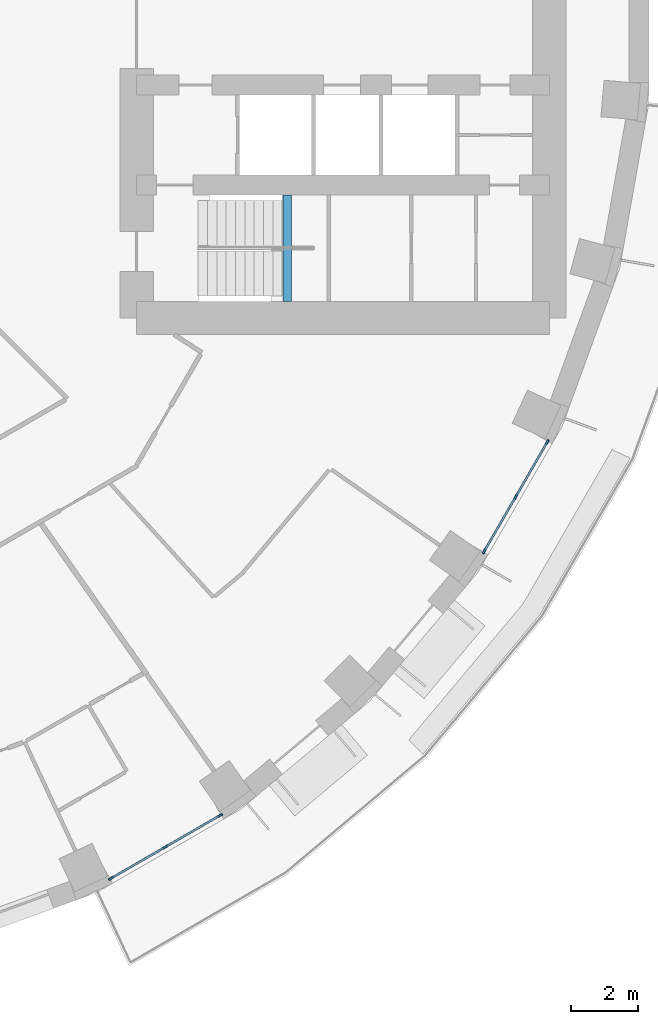
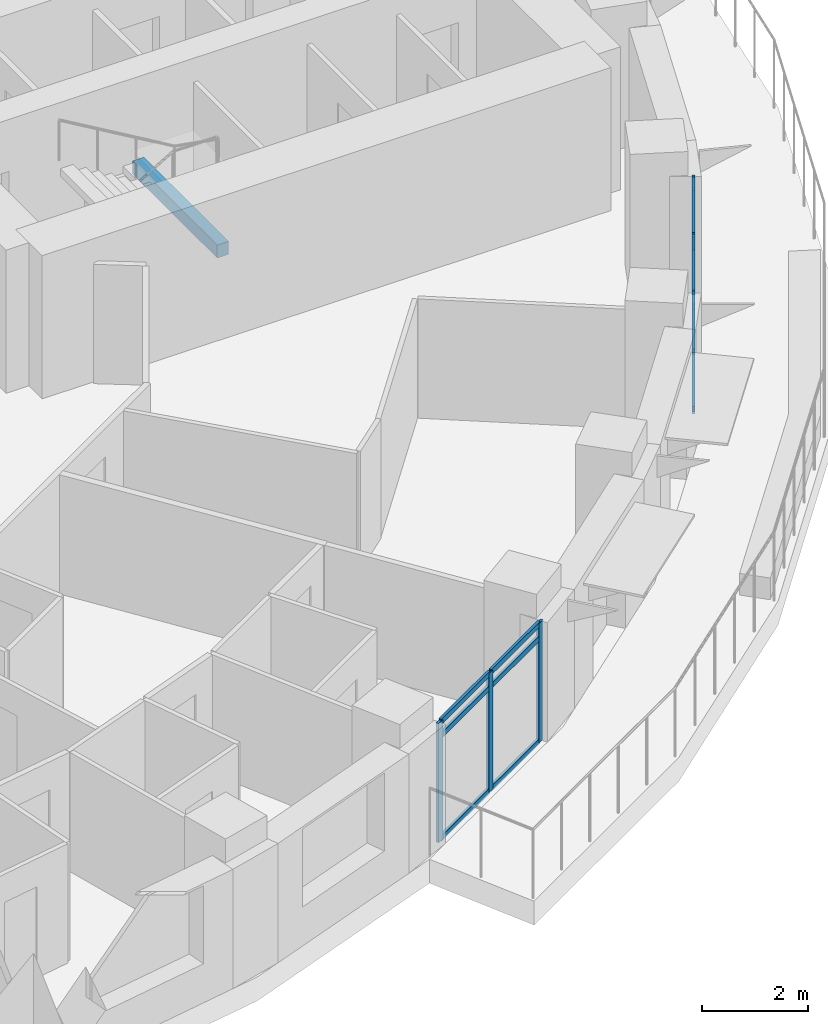
# One storey, part 2 of 15: 18 members, 1 beam, 2 elements without a shape of their own.
"""IFC4 building model written with IfcOpenShell, lengths in metres."""

import ifcopenshell
import ifcopenshell.guid

model = None  # the IFC model being written
_history = None  # IfcOwnerHistory: only IFC2X3 demands one
_inside = {}  # id of a spatial element -> (the spatial element, [elements in it])
_under = {}  # id of a project, library or spatial element -> (it, [spatial elements below it])
_declared = {}  # id of a project -> (the project, [libraries it declares])
_typed = {}  # id of a type object -> (the type object, [elements of that type])
_made_of = {}  # id of a material, layer set ... -> (it, [elements and type objects made of it])


def new_model(schema):
    """Start an empty IFC model of exactly this schema.

    Asked for "IFC4X3", IfcOpenShell would pick the latest addendum, in which some entities
    have other attributes; the version numbers below select the first issue.
    IFC2X3 requires an IfcOwnerHistory on every rooted entity: one is made here for all.
    """
    global model, _history
    if schema == "IFC4X3":
        model = ifcopenshell.file(schema_version=(4, 3, 0, 0))
    else:
        model = ifcopenshell.file(schema=schema)
    _inside.clear()
    _under.clear()
    _declared.clear()
    _typed.clear()
    _made_of.clear()
    _history = None
    if model.schema == "IFC2X3":
        org = make("IfcOrganization", Name="unknown")
        user = make(
            "IfcPersonAndOrganization",
            ThePerson=make("IfcPerson", FamilyName="unknown"),
            TheOrganization=org,
        )
        app = make(
            "IfcApplication",
            ApplicationDeveloper=org,
            Version="unknown",
            ApplicationFullName="unknown",
            ApplicationIdentifier="unknown",
        )
        _history = make(
            "IfcOwnerHistory",
            OwningUser=user,
            OwningApplication=app,
            ChangeAction="ADDED",
            CreationDate=0,
        )
    return model


def make(cls, **values):
    """One entity of the class cls with the attributes given. An attribute that is None is left unset."""
    return model.create_entity(
        cls, **{name: value for name, value in values.items() if value is not None}
    )


def rooted(cls, **values):
    """An entity with a GlobalId (a new one), such as an element, a storey or a relation."""
    return make(cls, GlobalId=ifcopenshell.guid.new(), OwnerHistory=_history, **values)


def si_unit(unit_type, name, prefix=None):
    """IfcSIUnit, for example si_unit("LENGTHUNIT", "METRE", prefix="MILLI")."""
    return make("IfcSIUnit", UnitType=unit_type, Prefix=prefix, Name=name)


def assignment(units):
    """IfcUnitAssignment: the units of a project."""
    return None if units is None else make("IfcUnitAssignment", Units=units)


def point(xyz):
    """IfcCartesianPoint."""
    return None if xyz is None else make("IfcCartesianPoint", Coordinates=xyz)


def direction(xyz):
    """IfcDirection."""
    return None if xyz is None else make("IfcDirection", DirectionRatios=xyz)


def frame(location, z_axis=None, x_axis=None):
    """IfcAxis2Placement3D, a coordinate frame: its origin and axes. An axis left out is left unset."""
    return make(
        "IfcAxis2Placement3D",
        Location=point(location),
        Axis=direction(z_axis),
        RefDirection=direction(x_axis),
    )


def frame_2d(location, x_axis=None):
    """IfcAxis2Placement2D, a coordinate frame in the plane: its origin and x axis."""
    return make(
        "IfcAxis2Placement2D", Location=point(location), RefDirection=direction(x_axis)
    )


def origin():
    """The frame at (0, 0, 0) with its axes left unset."""
    return frame((0.0, 0.0, 0.0))


def origin_2d():
    """The frame at (0, 0) in the plane with its x axis left unset."""
    return frame_2d((0.0, 0.0))


def place(relative_to, where):
    """IfcLocalPlacement: puts the frame where relative to a parent placement (None: the world)."""
    return make(
        "IfcLocalPlacement", PlacementRelTo=relative_to, RelativePlacement=where
    )


def context(
    kind, dimensions, precision=None, world=None, true_north=None, identifier=None
):
    """IfcGeometricRepresentationContext, for example the 3D "Model" context."""
    return make(
        "IfcGeometricRepresentationContext",
        ContextIdentifier=identifier,
        ContextType=kind,
        CoordinateSpaceDimension=dimensions,
        Precision=precision,
        WorldCoordinateSystem=world,
        TrueNorth=true_north,
    )


def subcontext(parent, identifier, kind, view, scale=None):
    """IfcGeometricRepresentationSubContext, for example "Body" below "Model"."""
    return make(
        "IfcGeometricRepresentationSubContext",
        ContextIdentifier=identifier,
        ContextType=kind,
        ParentContext=parent,
        TargetScale=scale,
        TargetView=view,
    )


def project(units=None, contexts=None):
    """IfcProject with its units and contexts."""
    return rooted(
        "IfcProject",
        Name="project",
        RepresentationContexts=contexts,
        UnitsInContext=assignment(units),
    )


def spatial(cls, under=None, at=None, **own):
    """A site, building, storey or space (cls), placed at a placement, below another one or the project."""
    s = rooted(cls, ObjectPlacement=at, **own)
    if under is not None:
        _under.setdefault(under.id(), (under, []))[1].append(s)
    return s


def profile(cls, at=None, kind="AREA", **sizes):
    """A parametric profile (cls). Its sizes go by their IFC names, for example OverallWidth=200.0."""
    return make(cls, ProfileType=kind, Position=at, **sizes)


def rectangle(**sizes):
    """IfcRectangleProfileDef."""
    return profile("IfcRectangleProfileDef", **sizes)


def extrude(swept, where, along, depth):
    """IfcExtrudedAreaSolid: the profile swept, set in the frame where, extruded along a direction by depth."""
    return make(
        "IfcExtrudedAreaSolid",
        SweptArea=swept,
        Position=where,
        ExtrudedDirection=direction(along),
        Depth=depth,
    )


def shape(context_of_items, identifier, shape_type, items):
    """IfcShapeRepresentation: the items that make up one representation, for example the "Body"."""
    return make(
        "IfcShapeRepresentation",
        ContextOfItems=context_of_items,
        RepresentationIdentifier=identifier,
        RepresentationType=shape_type,
        Items=items,
    )


def material(Name=None, Category=None):
    """IfcMaterial."""
    return make("IfcMaterial", Name=Name, Category=Category)


def layer(
    of_material, thickness, ventilated=None, Name=None, Category=None, Priority=None
):
    """IfcMaterialLayer: one layer of a wall or slab, of a material (None: an air gap)."""
    return make(
        "IfcMaterialLayer",
        Material=of_material,
        LayerThickness=thickness,
        IsVentilated=ventilated,
        Name=Name,
        Category=Category,
        Priority=Priority,
    )


def layer_set(layers, Name=None):
    """IfcMaterialLayerSet."""
    return make("IfcMaterialLayerSet", MaterialLayers=layers, LayerSetName=Name)


def material_profile(
    of_material, cross_section, Name=None, Category=None, Priority=None
):
    """IfcMaterialProfile: a cross section and its material."""
    return make(
        "IfcMaterialProfile",
        Name=Name,
        Material=of_material,
        Profile=cross_section,
        Priority=Priority,
        Category=Category,
    )


def profile_set(profiles, Name=None, composite=None):
    """IfcMaterialProfileSet."""
    return make(
        "IfcMaterialProfileSet",
        Name=Name,
        MaterialProfiles=profiles,
        CompositeProfile=composite,
    )


def made_of(thing, what):
    """Note that an element or type object is made of a material, layer set ...; save() writes the relation."""
    if what is not None:
        _made_of.setdefault(what.id(), (what, []))[1].append(thing)
    return thing


def type_object(cls, material=None, **own):
    """A type object (cls), such as IfcWallType, which elements share."""
    return made_of(rooted(cls, **own), material)


def element(
    cls,
    number,
    at=None,
    inside=None,
    cuts=None,
    type_object=None,
    material=None,
    context=None,
    identifier="Body",
    shape_type=None,
    held_by="IfcProductDefinitionShape",
    body=None,
    shapes=None,
    **own,
):
    """One element of the class cls, such as IfcWall. Its Tag is "e" and its number.

    at: its placement. inside: the storey or other place that contains it. cuts: it is an
    opening in that element (IfcRelVoidsElement). A single representation is given by context,
    identifier, shape_type and body (its items); several are given by shapes. held_by: the class
    of the entity that holds the representations. save() writes the other relations.
    """
    e = rooted(cls, Tag="e%d" % number, ObjectPlacement=at, **own)
    if body is not None:
        shapes = [shape(context, identifier, shape_type, body)]
    if shapes is not None:
        e.Representation = make(held_by, Representations=shapes)
    if inside is not None:
        _inside.setdefault(inside.id(), (inside, []))[1].append(e)
    if cuts is not None:
        rooted(
            "IfcRelVoidsElement", RelatingBuildingElement=cuts, RelatedOpeningElement=e
        )
    if type_object is not None:
        _typed.setdefault(type_object.id(), (type_object, []))[1].append(e)
    return made_of(e, material)


def aggregate(whole, parts):
    """IfcRelAggregates: a whole, such as a stair, and the parts it consists of."""
    return rooted("IfcRelAggregates", RelatingObject=whole, RelatedObjects=parts)


def save(model, path):
    """Write the relations noted so far, then the file.

    IfcRelAggregates (storeys below a building ...), IfcRelContainedInSpatialStructure (elements
    in a storey), IfcRelDefinesByType, IfcRelAssociatesMaterial and IfcRelDeclares: one each for
    every whole, place, type object, material and project.
    """
    for whole, parts in _under.values():
        aggregate(whole, parts)
    for where, things in _inside.values():
        rooted(
            "IfcRelContainedInSpatialStructure",
            RelatedElements=things,
            RelatingStructure=where,
        )
    for kind, things in _typed.values():
        rooted("IfcRelDefinesByType", RelatedObjects=things, RelatingType=kind)
    for what, things in _made_of.values():
        rooted("IfcRelAssociatesMaterial", RelatedObjects=things, RelatingMaterial=what)
    for by, libraries in _declared.values():
        rooted("IfcRelDeclares", RelatingContext=by, RelatedDefinitions=libraries)
    model.write(path)


model = new_model("IFC4")

# Units and contexts
model_context = context("Model", 3, precision=1e-05, world=origin(), true_north=direction((0.0, 1.0)))
body_context = subcontext(model_context, "Body", "Model", "MODEL_VIEW")
ifc_project = project(units=[si_unit("LENGTHUNIT", "METRE"), si_unit("AREAUNIT", "SQUARE_METRE"), si_unit("VOLUMEUNIT", "CUBIC_METRE"), si_unit("PLANEANGLEUNIT", "RADIAN"), si_unit("MASSUNIT", "GRAM", prefix="KILO")], contexts=[model_context])

# Site, building, storey
site_placement = place(None, origin())
site = spatial("IfcSite", under=ifc_project, at=site_placement, CompositionType="ELEMENT")
building_placement = place(site_placement, origin())
building = spatial("IfcBuilding", under=site, at=building_placement, Name="Saqina Gate Tower", CompositionType="ELEMENT")
storey_placement = place(building_placement, frame((0.0, 0.0, 39.5)))
storey = spatial("IfcBuildingStorey", under=building, at=storey_placement, Name="L10", CompositionType="ELEMENT", Elevation=39.5)

# Curtain wall, members
ifc_material_1 = material(Name="Aluminium glazing", Category="aluminium")
ifc_layer = layer(ifc_material_1, 0.159912109375)
ifc_layer_set = layer_set([ifc_layer], Name="CWT-4")
curtain_wall_type = type_object("IfcCurtainWallType", Name="CWT-4", PredefinedType="NOTDEFINED", material=ifc_layer_set)
curtain_wall_1_placement = place(storey_placement, origin())
curtain_wall_1 = element("IfcCurtainWall", 1, at=curtain_wall_1_placement, inside=storey, type_object=curtain_wall_type, Name="Terrace lounge glazing facet 30", PredefinedType="NOTDEFINED")
ifc_material_2 = material(Name="Aluminium", Category="aluminium")
ifc_material_profile_1 = material_profile(ifc_material_2, rectangle(XDim=0.06005859375, YDim=0.159912109375, at=origin_2d()), Name="Aluminium 60x160")
ifc_profile_set_1 = profile_set([ifc_material_profile_1], Name="Aluminium")
member_type_1 = type_object("IfcMemberType", Name="CWT-4M", PredefinedType="MULLION", material=ifc_profile_set_1)
member_1_placement = place(storey_placement, frame((12.73046875, -25.835693359375, 0.0), z_axis=(0.0, 0.0, 1.0), x_axis=(-0.499995552346, 0.866027971624, 0.0)))
member_1 = element("IfcMember", 2, at=member_1_placement, type_object=member_type_1, Name="CW4-30 mullion 1", PredefinedType="MULLION", context=body_context, shape_type="SweptSolid", body=[
    extrude(rectangle(XDim=0.06005859375, YDim=0.159912109375, at=origin_2d()), origin(), (0.0, 0.0, 1.0), 2.75),
])
member_2_placement = place(storey_placement, frame((14.369873046875, -24.88916015625, 0.0), z_axis=(0.0, 0.0, 1.0), x_axis=(-0.499995552346, 0.866027971624, 0.0)))
member_2 = element("IfcMember", 3, at=member_2_placement, type_object=member_type_1, Name="CW4-30 mullion 2", PredefinedType="MULLION", context=body_context, shape_type="SweptSolid", body=[
    extrude(rectangle(XDim=0.06005859375, YDim=0.159912109375, at=origin_2d()), origin(), (0.0, 0.0, 1.0), 2.75),
])
member_3_placement = place(storey_placement, frame((16.009033203125, -23.94287109375, 0.0), z_axis=(0.0, 0.0, 1.0), x_axis=(-0.499995552346, 0.866027971624, 0.0)))
member_3 = element("IfcMember", 4, at=member_3_placement, type_object=member_type_1, Name="CW4-30 mullion 3", PredefinedType="MULLION", context=body_context, shape_type="SweptSolid", body=[
    extrude(rectangle(XDim=0.06005859375, YDim=0.159912109375, at=origin_2d()), origin(), (0.0, 0.0, 1.0), 2.75),
])

curtain_wall_2_placement = place(storey_placement, origin())
curtain_wall_2 = element("IfcCurtainWall", 5, at=curtain_wall_2_placement, inside=storey, type_object=curtain_wall_type, Name="Terrace lounge glazing facet 33", PredefinedType="NOTDEFINED")
member_4_placement = place(storey_placement, frame((23.94287109375, -16.009033203125, 0.0), z_axis=(0.0, 0.0, 1.0), x_axis=(-0.866027971624, 0.499995552346, 0.0)))
member_4 = element("IfcMember", 6, at=member_4_placement, type_object=member_type_1, Name="CW4-33 mullion 1", PredefinedType="MULLION", context=body_context, shape_type="SweptSolid", body=[
    extrude(rectangle(XDim=0.06005859375, YDim=0.159912109375, at=origin_2d()), origin(), (0.0, 0.0, 1.0), 2.75),
])
member_5_placement = place(storey_placement, frame((24.88916015625, -14.369873046875, 0.0), z_axis=(0.0, 0.0, 1.0), x_axis=(-0.866027971624, 0.499995552346, 0.0)))
member_5 = element("IfcMember", 7, at=member_5_placement, type_object=member_type_1, Name="CW4-33 mullion 2", PredefinedType="MULLION", context=body_context, shape_type="SweptSolid", body=[
    extrude(rectangle(XDim=0.06005859375, YDim=0.159912109375, at=origin_2d()), origin(), (0.0, 0.0, 1.0), 2.75),
])
member_6_placement = place(storey_placement, frame((25.835693359375, -12.73046875, 0.0), z_axis=(0.0, 0.0, 1.0), x_axis=(-0.866027971624, 0.499995552346, 0.0)))
member_6 = element("IfcMember", 8, at=member_6_placement, type_object=member_type_1, Name="CW4-33 mullion 3", PredefinedType="MULLION", context=body_context, shape_type="SweptSolid", body=[
    extrude(rectangle(XDim=0.06005859375, YDim=0.159912109375, at=origin_2d()), origin(), (0.0, 0.0, 1.0), 2.75),
])

# Member
ifc_material_3 = material(Name="Aluminium", Category="aluminium")
ifc_material_profile_2 = material_profile(ifc_material_3, rectangle(XDim=0.06005859375, YDim=0.1201171875, at=origin_2d()), Name="Aluminium 60x120")
ifc_profile_set_2 = profile_set([ifc_material_profile_2], Name="Aluminium")
member_type_2 = type_object("IfcMemberType", Name="CWT-4T", PredefinedType="USERDEFINED", material=ifc_profile_set_2)
member_7_placement = place(storey_placement, frame((12.75634765625, -25.82080078125, 0.030029296875), z_axis=(0.8660214502, 0.500006847747, 0.0), x_axis=(-0.500006847747, 0.8660214502, 0.0)))
member_7 = element("IfcMember", 9, at=member_7_placement, type_object=member_type_2, Name="CW4-30 transom 1.1", ObjectType="TRANSOM", PredefinedType="USERDEFINED", context=body_context, shape_type="SweptSolid", body=[
    extrude(rectangle(XDim=0.06005859375, YDim=0.1201171875, at=origin_2d()), origin(), (0.0, 0.0, 1.0), 1.8330078125),
])

member_8_placement = place(storey_placement, frame((12.75634765625, -25.82080078125, 2.39990234375), z_axis=(0.8660214502, 0.500006847747, 0.0), x_axis=(-0.500006847747, 0.8660214502, 0.0)))
member_8 = element("IfcMember", 10, at=member_8_placement, type_object=member_type_2, Name="CW4-30 transom 1.2", ObjectType="TRANSOM", PredefinedType="USERDEFINED", context=body_context, shape_type="SweptSolid", body=[
    extrude(rectangle(XDim=0.06005859375, YDim=0.1201171875, at=origin_2d()), origin(), (0.0, 0.0, 1.0), 1.8330078125),
])

member_9_placement = place(storey_placement, frame((12.75634765625, -25.82080078125, 2.719970703125), z_axis=(0.8660214502, 0.500006847747, 0.0), x_axis=(-0.500006847747, 0.8660214502, 0.0)))
member_9 = element("IfcMember", 11, at=member_9_placement, type_object=member_type_2, Name="CW4-30 transom 1.3", ObjectType="TRANSOM", PredefinedType="USERDEFINED", context=body_context, shape_type="SweptSolid", body=[
    extrude(rectangle(XDim=0.06005859375, YDim=0.1201171875, at=origin_2d()), origin(), (0.0, 0.0, 1.0), 1.8330078125),
])

member_10_placement = place(storey_placement, frame((14.395751953125, -24.874267578125, 0.030029296875), z_axis=(0.8660214502, 0.500006847747, 0.0), x_axis=(-0.500006847747, 0.8660214502, 0.0)))
member_10 = element("IfcMember", 12, at=member_10_placement, type_object=member_type_2, Name="CW4-30 transom 2.1", ObjectType="TRANSOM", PredefinedType="USERDEFINED", context=body_context, shape_type="SweptSolid", body=[
    extrude(rectangle(XDim=0.06005859375, YDim=0.1201171875, at=origin_2d()), origin(), (0.0, 0.0, 1.0), 1.8330078125),
])

member_11_placement = place(storey_placement, frame((14.395751953125, -24.874267578125, 2.39990234375), z_axis=(0.8660214502, 0.500006847747, 0.0), x_axis=(-0.500006847747, 0.8660214502, 0.0)))
member_11 = element("IfcMember", 13, at=member_11_placement, type_object=member_type_2, Name="CW4-30 transom 2.2", ObjectType="TRANSOM", PredefinedType="USERDEFINED", context=body_context, shape_type="SweptSolid", body=[
    extrude(rectangle(XDim=0.06005859375, YDim=0.1201171875, at=origin_2d()), origin(), (0.0, 0.0, 1.0), 1.8330078125),
])

member_12_placement = place(storey_placement, frame((14.395751953125, -24.874267578125, 2.719970703125), z_axis=(0.8660214502, 0.500006847747, 0.0), x_axis=(-0.500006847747, 0.8660214502, 0.0)))
member_12 = element("IfcMember", 14, at=member_12_placement, type_object=member_type_2, Name="CW4-30 transom 2.3", ObjectType="TRANSOM", PredefinedType="USERDEFINED", context=body_context, shape_type="SweptSolid", body=[
    extrude(rectangle(XDim=0.06005859375, YDim=0.1201171875, at=origin_2d()), origin(), (0.0, 0.0, 1.0), 1.8330078125),
])

aggregate(curtain_wall_1, [member_1, member_2, member_3, member_7, member_8, member_9, member_10, member_11, member_12])

member_13_placement = place(storey_placement, frame((23.957763671875, -15.983154296875, 0.030029296875), z_axis=(0.500006847747, 0.8660214502, 0.0), x_axis=(-0.8660214502, 0.500006847747, 0.0)))
member_13 = element("IfcMember", 15, at=member_13_placement, type_object=member_type_2, Name="CW4-33 transom 1.1", ObjectType="TRANSOM", PredefinedType="USERDEFINED", context=body_context, shape_type="SweptSolid", body=[
    extrude(rectangle(XDim=0.06005859375, YDim=0.1201171875, at=origin_2d()), origin(), (0.0, 0.0, 1.0), 1.8330078125),
])

member_14_placement = place(storey_placement, frame((23.957763671875, -15.983154296875, 2.39990234375), z_axis=(0.500006847747, 0.8660214502, 0.0), x_axis=(-0.8660214502, 0.500006847747, 0.0)))
member_14 = element("IfcMember", 16, at=member_14_placement, type_object=member_type_2, Name="CW4-33 transom 1.2", ObjectType="TRANSOM", PredefinedType="USERDEFINED", context=body_context, shape_type="SweptSolid", body=[
    extrude(rectangle(XDim=0.06005859375, YDim=0.1201171875, at=origin_2d()), origin(), (0.0, 0.0, 1.0), 1.8330078125),
])

member_15_placement = place(storey_placement, frame((23.957763671875, -15.983154296875, 2.719970703125), z_axis=(0.500006847747, 0.8660214502, 0.0), x_axis=(-0.8660214502, 0.500006847747, 0.0)))
member_15 = element("IfcMember", 17, at=member_15_placement, type_object=member_type_2, Name="CW4-33 transom 1.3", ObjectType="TRANSOM", PredefinedType="USERDEFINED", context=body_context, shape_type="SweptSolid", body=[
    extrude(rectangle(XDim=0.06005859375, YDim=0.1201171875, at=origin_2d()), origin(), (0.0, 0.0, 1.0), 1.8330078125),
])

member_16_placement = place(storey_placement, frame((24.904296875, -14.34375, 0.030029296875), z_axis=(0.500006847747, 0.8660214502, 0.0), x_axis=(-0.8660214502, 0.500006847747, 0.0)))
member_16 = element("IfcMember", 18, at=member_16_placement, type_object=member_type_2, Name="CW4-33 transom 2.1", ObjectType="TRANSOM", PredefinedType="USERDEFINED", context=body_context, shape_type="SweptSolid", body=[
    extrude(rectangle(XDim=0.06005859375, YDim=0.1201171875, at=origin_2d()), origin(), (0.0, 0.0, 1.0), 1.8330078125),
])

member_17_placement = place(storey_placement, frame((24.904296875, -14.34375, 2.39990234375), z_axis=(0.500006847747, 0.8660214502, 0.0), x_axis=(-0.8660214502, 0.500006847747, 0.0)))
member_17 = element("IfcMember", 19, at=member_17_placement, type_object=member_type_2, Name="CW4-33 transom 2.2", ObjectType="TRANSOM", PredefinedType="USERDEFINED", context=body_context, shape_type="SweptSolid", body=[
    extrude(rectangle(XDim=0.06005859375, YDim=0.1201171875, at=origin_2d()), origin(), (0.0, 0.0, 1.0), 1.8330078125),
])

member_18_placement = place(storey_placement, frame((24.904296875, -14.34375, 2.719970703125), z_axis=(0.500006847747, 0.8660214502, 0.0), x_axis=(-0.8660214502, 0.500006847747, 0.0)))
member_18 = element("IfcMember", 20, at=member_18_placement, type_object=member_type_2, Name="CW4-33 transom 2.3", ObjectType="TRANSOM", PredefinedType="USERDEFINED", context=body_context, shape_type="SweptSolid", body=[
    extrude(rectangle(XDim=0.06005859375, YDim=0.1201171875, at=origin_2d()), origin(), (0.0, 0.0, 1.0), 1.8330078125),
])

aggregate(curtain_wall_2, [member_4, member_5, member_6, member_13, member_14, member_15, member_16, member_17, member_18])

# Beam
ifc_material_4 = material(Name="Concrete C40/50", Category="concrete")
ifc_material_profile_3 = material_profile(ifc_material_4, rectangle(XDim=0.25, YDim=0.300048828125, at=origin_2d()), Name="STAIR LANDING BEAM")
ifc_profile_set_3 = profile_set([ifc_material_profile_3], Name="Concrete C40/50")
beam_type = type_object("IfcBeamType", Name="STAIR LANDING BEAM", PredefinedType="BEAM", material=ifc_profile_set_3)
beam_placement = place(storey_placement, frame((18.02001953125, -8.5, 1.25), z_axis=(0.0, 1.0, 0.0), x_axis=(-1.0, 0.0, 0.0)))
element("IfcBeam", 21, at=beam_placement, inside=storey, type_object=beam_type, Name="EXIT STAIR 2 LANDING BEAM", PredefinedType="BEAM", context=body_context, shape_type="SweptSolid", body=[
    extrude(rectangle(XDim=0.25, YDim=0.300048828125, at=origin_2d()), origin(), (0.0, 0.0, 1.0), 3.199951171875),
])

save(model, "model.ifc")
